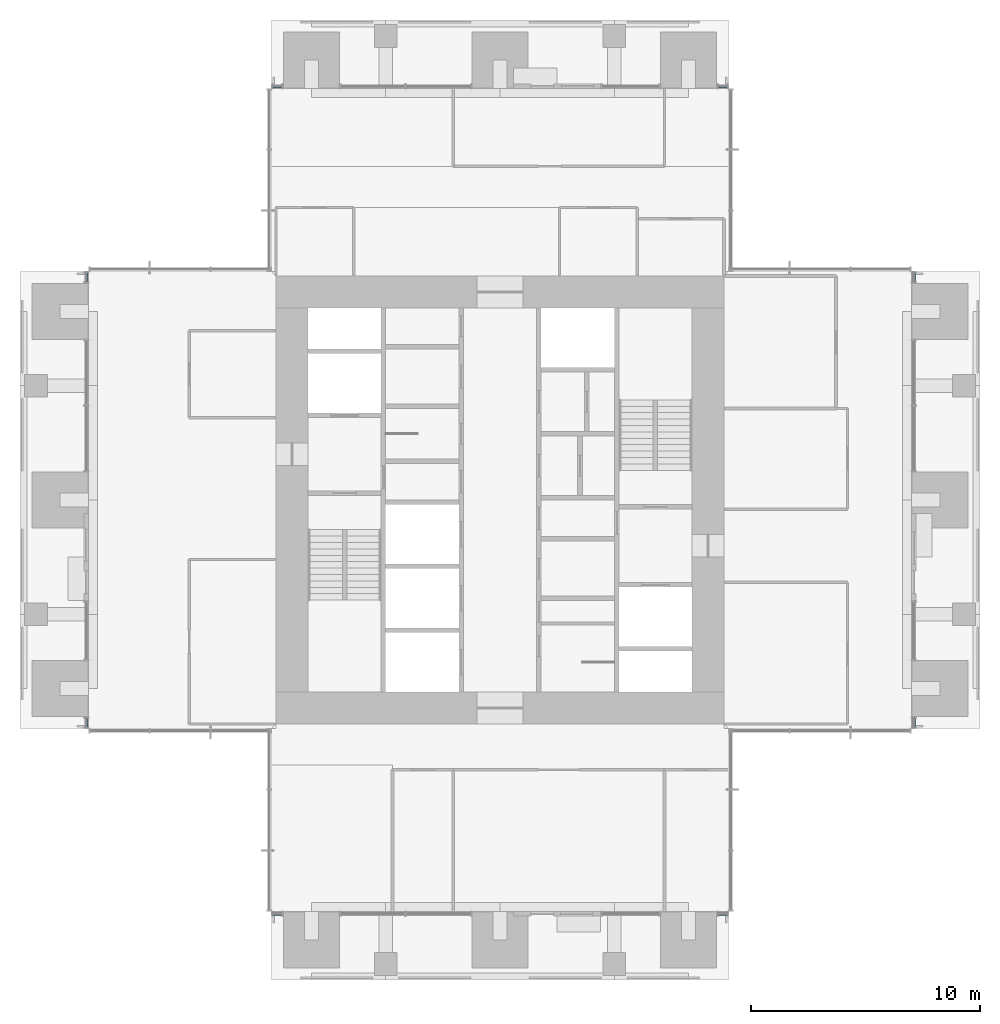
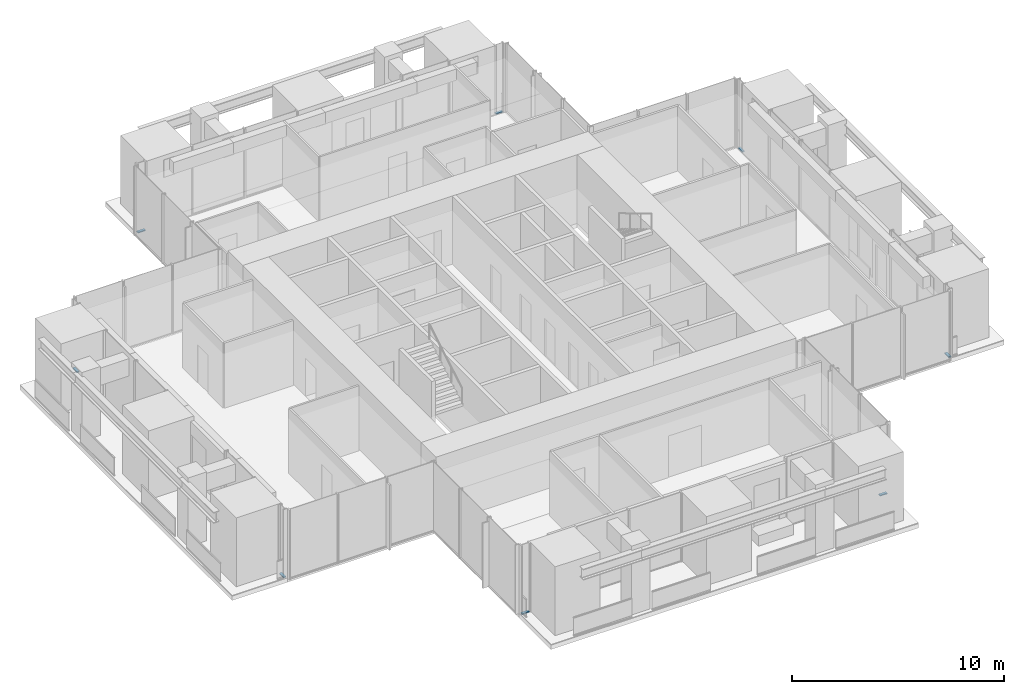
# One storey, part 6 of 17: 8 members, 8 elements without a shape of their own.
"""IFC4 building model written with IfcOpenShell, lengths in metres."""

from ifc_helpers import new_model, si_unit, direction, frame, origin, origin_2d, place, context, subcontext, project, spatial, rectangle, extrude, material, material_profile, profile_set, type_object, element, aggregate, save


model = new_model("IFC4")

# Units and contexts
model_context = context("Model", 3, precision=1e-05, world=origin(), true_north=direction((0.0, 1.0)))
body_context = subcontext(model_context, "Body", "Model", "MODEL_VIEW")
ifc_project = project(units=[si_unit("LENGTHUNIT", "METRE"), si_unit("AREAUNIT", "SQUARE_METRE"), si_unit("VOLUMEUNIT", "CUBIC_METRE"), si_unit("PLANEANGLEUNIT", "RADIAN"), si_unit("MASSUNIT", "GRAM", prefix="KILO")], contexts=[model_context])

# Site, building, storey
site_placement = place(None, origin())
site = spatial("IfcSite", under=ifc_project, at=site_placement, CompositionType="ELEMENT")
building_placement = place(site_placement, origin())
building = spatial("IfcBuilding", under=site, at=building_placement, Name="Svetlomir Tower", CompositionType="ELEMENT")
storey_placement = place(building_placement, frame((0.0, 0.0, 170.5)))
storey = spatial("IfcBuildingStorey", under=building, at=storey_placement, Name="L40", CompositionType="ELEMENT", Elevation=170.5)

# Curtain wall, member
ifc_material_1 = material(Name="Bronze anodised aluminium curtain wall", Category="aluminium")
curtain_wall_type = type_object("IfcCurtainWallType", Name="CURTAIN WALL CW1 TOWER OFFICE", PredefinedType="NOTDEFINED", material=ifc_material_1)
curtain_wall_1_placement = place(storey_placement, origin())
curtain_wall_1 = element("IfcCurtainWall", 1, at=curtain_wall_1_placement, inside=storey, type_object=curtain_wall_type, Name="Curtain wall CW1 L40", PredefinedType="NOTDEFINED")
ifc_material_2 = material(Name="Bronze anodised aluminium", Category="aluminium")
ifc_material_profile = material_profile(ifc_material_2, rectangle(XDim=0.139892578125, YDim=0.06494140625, at=origin_2d()), Name="AL 140x65")
ifc_profile_set = profile_set([ifc_material_profile], Name="Bronze anodised aluminium 6063-T6")
member_type = type_object("IfcMemberType", Name="CW1 TRANSOM 65x140", PredefinedType="USERDEFINED", material=ifc_profile_set)
member_1_placement = place(storey_placement, frame((11.06494140625, 2.89990234375, 0.032470703125), z_axis=(1.0, 0.0, 0.0), x_axis=(0.0, 1.0, 0.0)))
member_1 = element("IfcMember", 2, at=member_1_placement, type_object=member_type, Name="CW1 transom 1.1", ObjectType="TRANSOM", PredefinedType="USERDEFINED", context=body_context, shape_type="SweptSolid", body=[
    extrude(rectangle(XDim=0.139892578125, YDim=0.06494140625, at=origin_2d()), origin(), (0.0, 0.0, 1.0), 0.39501953125),
])
aggregate(curtain_wall_1, [member_1])

curtain_wall_2_placement = place(storey_placement, origin())
curtain_wall_2 = element("IfcCurtainWall", 3, at=curtain_wall_2_placement, inside=storey, type_object=curtain_wall_type, Name="Curtain wall CW1 L40", PredefinedType="NOTDEFINED")
member_2_placement = place(storey_placement, frame((30.5400390625, 2.89990234375, 0.032470703125), z_axis=(1.0, 0.0, 0.0), x_axis=(0.0, 1.0, 0.0)))
member_2 = element("IfcMember", 4, at=member_2_placement, type_object=member_type, Name="CW1 transom 1.1", ObjectType="TRANSOM", PredefinedType="USERDEFINED", context=body_context, shape_type="SweptSolid", body=[
    extrude(rectangle(XDim=0.139892578125, YDim=0.06494140625, at=origin_2d()), origin(), (0.0, 0.0, 1.0), 0.39501953125),
])
aggregate(curtain_wall_2, [member_2])

curtain_wall_3_placement = place(storey_placement, origin())
curtain_wall_3 = element("IfcCurtainWall", 5, at=curtain_wall_3_placement, inside=storey, type_object=curtain_wall_type, Name="Curtain wall CW1 L40", PredefinedType="NOTDEFINED")
member_3_placement = place(storey_placement, frame((39.10009765625, 11.06494140625, 0.032470703125), z_axis=(0.0, 1.0, 0.0), x_axis=(-1.0, 0.0, 0.0)))
member_3 = element("IfcMember", 6, at=member_3_placement, type_object=member_type, Name="CW1 transom 1.1", ObjectType="TRANSOM", PredefinedType="USERDEFINED", context=body_context, shape_type="SweptSolid", body=[
    extrude(rectangle(XDim=0.139892578125, YDim=0.06494140625, at=origin_2d()), origin(), (0.0, 0.0, 1.0), 0.39501953125),
])
aggregate(curtain_wall_3, [member_3])

curtain_wall_4_placement = place(storey_placement, origin())
curtain_wall_4 = element("IfcCurtainWall", 7, at=curtain_wall_4_placement, inside=storey, type_object=curtain_wall_type, Name="Curtain wall CW1 L40", PredefinedType="NOTDEFINED")
member_4_placement = place(storey_placement, frame((39.10009765625, 30.5400390625, 0.032470703125), z_axis=(0.0, 1.0, 0.0), x_axis=(-1.0, 0.0, 0.0)))
member_4 = element("IfcMember", 8, at=member_4_placement, type_object=member_type, Name="CW1 transom 1.1", ObjectType="TRANSOM", PredefinedType="USERDEFINED", context=body_context, shape_type="SweptSolid", body=[
    extrude(rectangle(XDim=0.139892578125, YDim=0.06494140625, at=origin_2d()), origin(), (0.0, 0.0, 1.0), 0.39501953125),
])
aggregate(curtain_wall_4, [member_4])

curtain_wall_5_placement = place(storey_placement, origin())
curtain_wall_5 = element("IfcCurtainWall", 9, at=curtain_wall_5_placement, inside=storey, type_object=curtain_wall_type, Name="Curtain wall CW1 L40", PredefinedType="NOTDEFINED")
member_5_placement = place(storey_placement, frame((30.93505859375, 39.10009765625, 0.032470703125), z_axis=(-1.0, 0.0, 0.0), x_axis=(0.0, -1.0, 0.0)))
member_5 = element("IfcMember", 10, at=member_5_placement, type_object=member_type, Name="CW1 transom 1.1", ObjectType="TRANSOM", PredefinedType="USERDEFINED", context=body_context, shape_type="SweptSolid", body=[
    extrude(rectangle(XDim=0.139892578125, YDim=0.06494140625, at=origin_2d()), origin(), (0.0, 0.0, 1.0), 0.39501953125),
])
aggregate(curtain_wall_5, [member_5])

curtain_wall_6_placement = place(storey_placement, origin())
curtain_wall_6 = element("IfcCurtainWall", 11, at=curtain_wall_6_placement, inside=storey, type_object=curtain_wall_type, Name="Curtain wall CW1 L40", PredefinedType="NOTDEFINED")
member_6_placement = place(storey_placement, frame((11.4599609375, 39.10009765625, 0.032470703125), z_axis=(-1.0, 0.0, 0.0), x_axis=(0.0, -1.0, 0.0)))
member_6 = element("IfcMember", 12, at=member_6_placement, type_object=member_type, Name="CW1 transom 1.1", ObjectType="TRANSOM", PredefinedType="USERDEFINED", context=body_context, shape_type="SweptSolid", body=[
    extrude(rectangle(XDim=0.139892578125, YDim=0.06494140625, at=origin_2d()), origin(), (0.0, 0.0, 1.0), 0.39501953125),
])
aggregate(curtain_wall_6, [member_6])

curtain_wall_7_placement = place(storey_placement, origin())
curtain_wall_7 = element("IfcCurtainWall", 13, at=curtain_wall_7_placement, inside=storey, type_object=curtain_wall_type, Name="Curtain wall CW1 L40", PredefinedType="NOTDEFINED")
member_7_placement = place(storey_placement, frame((2.89990234375, 30.93505859375, 0.032470703125), z_axis=(0.0, -1.0, 0.0), x_axis=(1.0, 0.0, 0.0)))
member_7 = element("IfcMember", 14, at=member_7_placement, type_object=member_type, Name="CW1 transom 1.1", ObjectType="TRANSOM", PredefinedType="USERDEFINED", context=body_context, shape_type="SweptSolid", body=[
    extrude(rectangle(XDim=0.139892578125, YDim=0.06494140625, at=origin_2d()), origin(), (0.0, 0.0, 1.0), 0.39501953125),
])
aggregate(curtain_wall_7, [member_7])

curtain_wall_8_placement = place(storey_placement, origin())
curtain_wall_8 = element("IfcCurtainWall", 15, at=curtain_wall_8_placement, inside=storey, type_object=curtain_wall_type, Name="Curtain wall CW1 L40", PredefinedType="NOTDEFINED")
member_8_placement = place(storey_placement, frame((2.89990234375, 11.4599609375, 0.032470703125), z_axis=(0.0, -1.0, 0.0), x_axis=(1.0, 0.0, 0.0)))
member_8 = element("IfcMember", 16, at=member_8_placement, type_object=member_type, Name="CW1 transom 1.1", ObjectType="TRANSOM", PredefinedType="USERDEFINED", context=body_context, shape_type="SweptSolid", body=[
    extrude(rectangle(XDim=0.139892578125, YDim=0.06494140625, at=origin_2d()), origin(), (0.0, 0.0, 1.0), 0.39501953125),
])
aggregate(curtain_wall_8, [member_8])

save(model, "model.ifc")
